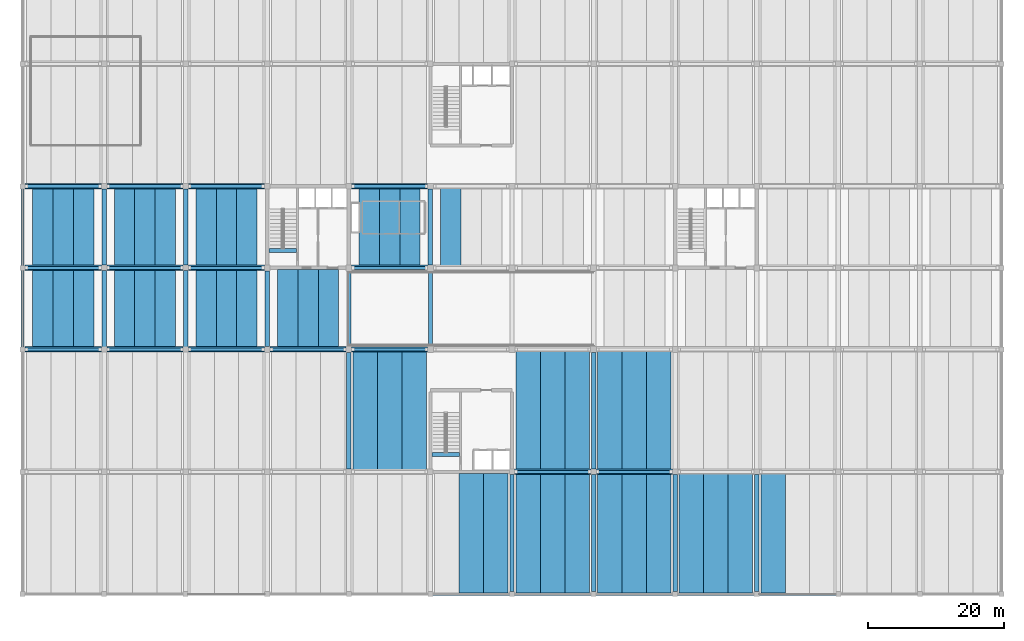
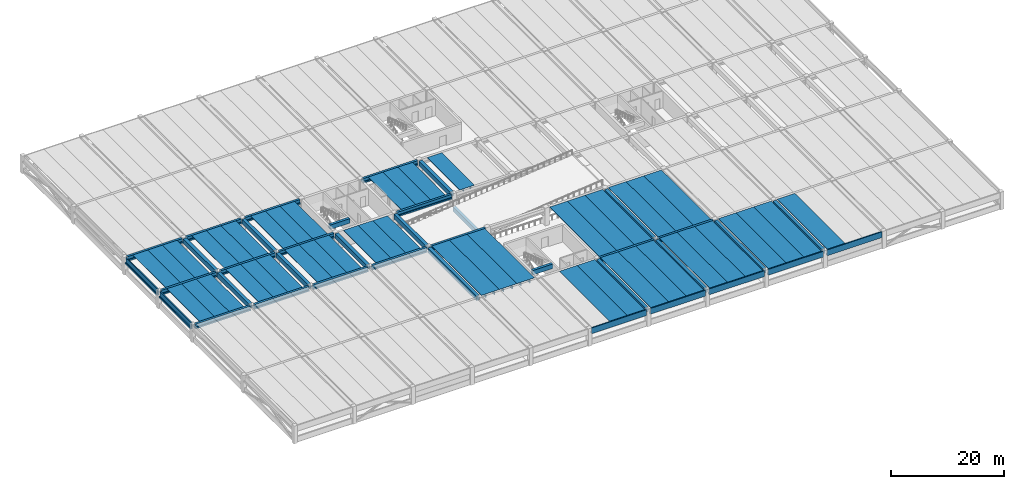
# One storey, part 2 of 14: 84 beams.
"""IFC4 building model written with IfcOpenShell, lengths in metres."""

from ifc_helpers import new_model, si_unit, direction, frame, origin, origin_2d, place, context, subcontext, project, spatial, polyline, rectangle, outline, extrude, material, material_profile, profile_set, type_object, element, save


model = new_model("IFC4")

# Units and contexts
model_context = context("Model", 3, precision=1e-05, world=origin(), true_north=direction((0.0, 1.0)))
body_context = subcontext(model_context, "Body", "Model", "MODEL_VIEW")
ifc_project = project(units=[si_unit("LENGTHUNIT", "METRE"), si_unit("AREAUNIT", "SQUARE_METRE"), si_unit("VOLUMEUNIT", "CUBIC_METRE"), si_unit("PLANEANGLEUNIT", "RADIAN"), si_unit("MASSUNIT", "GRAM", prefix="KILO")], contexts=[model_context])

# Site, building, storey
site_placement = place(None, origin())
site = spatial("IfcSite", under=ifc_project, at=site_placement, CompositionType="ELEMENT")
building_placement = place(site_placement, origin())
building = spatial("IfcBuilding", under=site, at=building_placement, Name="Girod Span Mobility Hub", CompositionType="ELEMENT")
storey_placement = place(building_placement, frame((0.0, 0.0, 24.800048828125)))
storey = spatial("IfcBuildingStorey", under=building, at=storey_placement, Name="L06", CompositionType="ELEMENT", Elevation=24.800048828125)

# Beams
ifc_material_1 = material(Name="Concrete C50/60", Category="concrete")
ifc_material_profile_1 = material_profile(ifc_material_1, outline(polyline([(-1.5, 0.300048828125), (-1.5, 0.2099609375), (-0.8349609375, 0.2099609375), (-0.8125, -0.300048828125), (-0.6875, -0.300048828125), (-0.6650390625, 0.2099609375), (0.6650390625, 0.2099609375), (0.6875, -0.300048828125), (0.8125, -0.300048828125), (0.8349609375, 0.2099609375), (1.5, 0.2099609375), (1.5, 0.300048828125), (-1.5, 0.300048828125)])), Name="DT-3000X600")
ifc_profile_set_1 = profile_set([ifc_material_profile_1], Name="Concrete C50/60")
beam_type_1 = type_object("IfcBeamType", Name="BM-DT-3000X600", PredefinedType="JOIST", material=ifc_profile_set_1)
for number, where, z_axis, x_axis, name in (
    (1, (15.0, 45.22705078125, 3.324951171875), (0.0, 1.0, 0.0), (-1.0, 0.0, 0.0), "Double-Tee Deck 2/D-1 L06"),
    (2, (18.0, 45.22705078125, 3.324951171875), (0.0, 1.0, 0.0), (-1.0, 0.0, 0.0), "Double-Tee Deck 2/D-2 L06"),
    (3, (21.0, 45.22705078125, 3.324951171875), (0.0, 1.0, 0.0), (-1.0, 0.0, 0.0), "Double-Tee Deck 2/D-3 L06"),
    (4, (15.0, 57.22705078125, 3.324951171875), (0.0, 1.0, 0.0), (-1.0, 0.0, 0.0), "Double-Tee Deck 2/E-1 L06"),
    (5, (18.0, 57.22705078125, 3.324951171875), (0.0, 1.0, 0.0), (-1.0, 0.0, 0.0), "Double-Tee Deck 2/E-2 L06"),
    (6, (21.0, 57.22705078125, 3.324951171875), (0.0, 1.0, 0.0), (-1.0, 0.0, 0.0), "Double-Tee Deck 2/E-3 L06"),
    (7, (27.0, 45.22705078125, 3.324951171875), (0.0, 1.0, 0.0), (-1.0, 0.0, 0.0), "Double-Tee Deck 3/D-1 L06"),
    (8, (30.0, 45.22705078125, 3.324951171875), (0.0, 1.0, 0.0), (-1.0, 0.0, 0.0), "Double-Tee Deck 3/D-2 L06"),
    (9, (33.0, 45.22705078125, 3.324951171875), (0.0, 1.0, 0.0), (-1.0, 0.0, 0.0), "Double-Tee Deck 3/D-3 L06"),
    (10, (27.0, 57.22705078125, 3.324951171875), (0.0, 1.0, 0.0), (-1.0, 0.0, 0.0), "Double-Tee Deck 3/E-1 L06"),
    (11, (30.0, 57.22705078125, 3.324951171875), (0.0, 1.0, 0.0), (-1.0, 0.0, 0.0), "Double-Tee Deck 3/E-2 L06"),
    (12, (33.0, 57.22705078125, 3.324951171875), (0.0, 1.0, 0.0), (-1.0, 0.0, 0.0), "Double-Tee Deck 3/E-3 L06"),
    (13, (39.0, 45.22705078125, 3.324951171875), (0.0, 1.0, 0.0), (-1.0, 0.0, 0.0), "Double-Tee Deck 4/D-1 L06"),
    (14, (42.0, 45.22705078125, 3.324951171875), (0.0, 1.0, 0.0), (-1.0, 0.0, 0.0), "Double-Tee Deck 4/D-2 L06"),
    (15, (45.0, 45.22705078125, 3.324951171875), (0.0, 1.0, 0.0), (-1.0, 0.0, 0.0), "Double-Tee Deck 4/D-3 L06"),
    (16, (39.0, 57.22705078125, 3.324951171875), (0.0, 1.0, 0.0), (-1.0, 0.0, 0.0), "Double-Tee Deck 4/E-1 L06"),
    (17, (42.0, 57.22705078125, 3.324951171875), (0.0, 1.0, 0.0), (-1.0, 0.0, 0.0), "Double-Tee Deck 4/E-2 L06"),
    (18, (45.0, 57.22705078125, 3.324951171875), (0.0, 1.0, 0.0), (-1.0, 0.0, 0.0), "Double-Tee Deck 4/E-3 L06"),
):
    element("IfcBeam", number, at=place(storey_placement, frame(where, z_axis=z_axis, x_axis=x_axis)), inside=storey, type_object=beam_type_1, Name=name, PredefinedType="JOIST", context=body_context, shape_type="SweptSolid", body=[
        extrude(outline(polyline([(-1.5, 0.300048828125), (-1.5, 0.2099609375), (-0.8349609375, 0.2099609375), (-0.8125, -0.300048828125), (-0.6875, -0.300048828125), (-0.6650390625, 0.2099609375), (0.6650390625, 0.2099609375), (0.6875, -0.300048828125), (0.8125, -0.300048828125), (0.8349609375, 0.2099609375), (1.5, 0.2099609375), (1.5, 0.300048828125), (-1.5, 0.300048828125)])), origin(), (0.0, 0.0, 1.0), 11.5458984375),
    ])
for number, where, z_axis, x_axis, name in (
    (19, (51.0, 45.22705078125, 3.324951171875), (0.0, 1.0, 0.0), (-1.0, 0.0, 0.0), "Double-Tee Deck 5/D-1 L06"),
    (20, (54.0, 45.22705078125, 3.324951171875), (0.0, 1.0, 0.0), (-1.0, 0.0, 0.0), "Double-Tee Deck 5/D-2 L06"),
    (21, (57.0, 45.22705078125, 3.324951171875), (0.0, 1.0, 0.0), (-1.0, 0.0, 0.0), "Double-Tee Deck 5/D-3 L06"),
):
    element("IfcBeam", number, at=place(storey_placement, frame(where, z_axis=z_axis, x_axis=x_axis)), inside=storey, type_object=beam_type_1, Name=name, PredefinedType="JOIST", context=body_context, shape_type="SweptSolid", body=[
        extrude(outline(polyline([(-1.5, 0.300048828125), (-1.5, 0.2099609375), (-0.8349609375, 0.2099609375), (-0.8125, -0.300048828125), (-0.6875, -0.300048828125), (-0.6650390625, 0.2099609375), (0.6650390625, 0.2099609375), (0.6875, -0.300048828125), (0.8125, -0.300048828125), (0.8349609375, 0.2099609375), (1.5, 0.2099609375), (1.5, 0.300048828125), (-1.5, 0.300048828125)])), origin(), (0.0, 0.0, 1.0), 11.52587890625),
    ])
for number, where, z_axis, x_axis, name in (
    (22, (63.0, 57.22705078125, 3.324951171875), (0.0, 1.0, 0.0), (-1.0, 0.0, 0.0), "Double-Tee Deck 6/E-1 L06"),
    (23, (66.0, 57.22705078125, 3.324951171875), (0.0, 1.0, 0.0), (-1.0, 0.0, 0.0), "Double-Tee Deck 6/E-2 L06"),
    (24, (69.0, 57.22705078125, 3.324951171875), (0.0, 1.0, 0.0), (-1.0, 0.0, 0.0), "Double-Tee Deck 6/E-3 L06"),
    (25, (75.0, 57.22705078125, 3.324951171875), (0.0, 1.0, 0.0), (-1.0, 0.0, 0.0), "Double-Tee Deck 7/E-1 L06"),
):
    element("IfcBeam", number, at=place(storey_placement, frame(where, z_axis=z_axis, x_axis=x_axis)), inside=storey, type_object=beam_type_1, Name=name, PredefinedType="JOIST", context=body_context, shape_type="SweptSolid", body=[
        extrude(outline(polyline([(-1.5, 0.300048828125), (-1.5, 0.2099609375), (-0.8349609375, 0.2099609375), (-0.8125, -0.300048828125), (-0.6875, -0.300048828125), (-0.6650390625, 0.2099609375), (0.6650390625, 0.2099609375), (0.6875, -0.300048828125), (0.8125, -0.300048828125), (0.8349609375, 0.2099609375), (1.5, 0.2099609375), (1.5, 0.300048828125), (-1.5, 0.300048828125)])), origin(), (0.0, 0.0, 1.0), 11.5458984375),
    ])
ifc_material_2 = material(Name="Concrete C50/60", Category="concrete")
ifc_material_profile_2 = material_profile(ifc_material_2, outline(polyline([(-1.800048828125, 0.425048828125), (-1.800048828125, 0.324951171875), (-1.0, 0.324951171875), (-0.969970703125, -0.425048828125), (-0.830078125, -0.425048828125), (-0.800048828125, 0.324951171875), (0.800048828125, 0.324951171875), (0.830078125, -0.425048828125), (0.969970703125, -0.425048828125), (1.0, 0.324951171875), (1.800048828125, 0.324951171875), (1.800048828125, 0.425048828125), (-1.800048828125, 0.425048828125)])), Name="DT-3600X850")
ifc_profile_set_2 = profile_set([ifc_material_profile_2], Name="Concrete C50/60")
beam_type_2 = type_object("IfcBeamType", Name="BM-DT-3600X850", PredefinedType="JOIST", material=ifc_profile_set_2)
for number, where, z_axis, x_axis, name in (
    (26, (62.39990234375, 27.22705078125, 3.199951171875), (0.0, 1.0, 0.0), (-1.0, 0.0, 0.0), "Double-Tee Deck 6/C-1 L06"),
    (27, (66.0, 27.22705078125, 3.199951171875), (0.0, 1.0, 0.0), (-1.0, 0.0, 0.0), "Double-Tee Deck 6/C-2 L06"),
    (28, (69.60009765625, 27.22705078125, 3.199951171875), (0.0, 1.0, 0.0), (-1.0, 0.0, 0.0), "Double-Tee Deck 6/C-3 L06"),
):
    element("IfcBeam", number, at=place(storey_placement, frame(where, z_axis=z_axis, x_axis=x_axis)), inside=storey, type_object=beam_type_2, Name=name, PredefinedType="JOIST", context=body_context, shape_type="SweptSolid", body=[
        extrude(outline(polyline([(-1.800048828125, 0.425048828125), (-1.800048828125, 0.324951171875), (-1.0, 0.324951171875), (-0.969970703125, -0.425048828125), (-0.830078125, -0.425048828125), (-0.800048828125, 0.324951171875), (0.800048828125, 0.324951171875), (0.830078125, -0.425048828125), (0.969970703125, -0.425048828125), (1.0, 0.324951171875), (1.800048828125, 0.324951171875), (1.800048828125, 0.425048828125), (-1.800048828125, 0.425048828125)])), origin(), (0.0, 0.0, 1.0), 17.5458984375),
    ])
for number, where, z_axis, x_axis, name in (
    (29, (78.0, 9.01708984375, 3.199951171875), (0.0, 1.0, 0.0), (-1.0, 0.0, 0.0), "Double-Tee Deck 7/B-2 L06"),
    (30, (81.60009765625, 9.01708984375, 3.199951171875), (0.0, 1.0, 0.0), (-1.0, 0.0, 0.0), "Double-Tee Deck 7/B-3 L06"),
):
    element("IfcBeam", number, at=place(storey_placement, frame(where, z_axis=z_axis, x_axis=x_axis)), inside=storey, type_object=beam_type_2, Name=name, PredefinedType="JOIST", context=body_context, shape_type="SweptSolid", body=[
        extrude(outline(polyline([(-1.800048828125, 0.425048828125), (-1.800048828125, 0.324951171875), (-1.0, 0.324951171875), (-0.969970703125, -0.425048828125), (-0.830078125, -0.425048828125), (-0.800048828125, 0.324951171875), (0.800048828125, 0.324951171875), (0.830078125, -0.425048828125), (0.969970703125, -0.425048828125), (1.0, 0.324951171875), (1.800048828125, 0.324951171875), (1.800048828125, 0.425048828125), (-1.800048828125, 0.425048828125)])), origin(), (0.0, 0.0, 1.0), 17.760986328125),
    ])
for number, where, z_axis, x_axis, name in (
    (31, (86.39990234375, 9.01708984375, 3.199951171875), (0.0, 1.0, 0.0), (-1.0, 0.0, 0.0), "Double-Tee Deck 8/B-1 L06"),
    (32, (90.0, 9.01708984375, 3.199951171875), (0.0, 1.0, 0.0), (-1.0, 0.0, 0.0), "Double-Tee Deck 8/B-2 L06"),
    (33, (93.60009765625, 9.01708984375, 3.199951171875), (0.0, 1.0, 0.0), (-1.0, 0.0, 0.0), "Double-Tee Deck 8/B-3 L06"),
):
    element("IfcBeam", number, at=place(storey_placement, frame(where, z_axis=z_axis, x_axis=x_axis)), inside=storey, type_object=beam_type_2, Name=name, PredefinedType="JOIST", context=body_context, shape_type="SweptSolid", body=[
        extrude(outline(polyline([(-1.800048828125, 0.425048828125), (-1.800048828125, 0.324951171875), (-1.0, 0.324951171875), (-0.969970703125, -0.425048828125), (-0.830078125, -0.425048828125), (-0.800048828125, 0.324951171875), (0.800048828125, 0.324951171875), (0.830078125, -0.425048828125), (0.969970703125, -0.425048828125), (1.0, 0.324951171875), (1.800048828125, 0.324951171875), (1.800048828125, 0.425048828125), (-1.800048828125, 0.425048828125)])), origin(), (0.0, 0.0, 1.0), 17.755859375),
    ])
for number, where, z_axis, x_axis, name in (
    (34, (86.39990234375, 27.22705078125, 3.199951171875), (0.0, 1.0, 0.0), (-1.0, 0.0, 0.0), "Double-Tee Deck 8/C-1 L06"),
    (35, (90.0, 27.22705078125, 3.199951171875), (0.0, 1.0, 0.0), (-1.0, 0.0, 0.0), "Double-Tee Deck 8/C-2 L06"),
    (36, (93.60009765625, 27.22705078125, 3.199951171875), (0.0, 1.0, 0.0), (-1.0, 0.0, 0.0), "Double-Tee Deck 8/C-3 L06"),
):
    element("IfcBeam", number, at=place(storey_placement, frame(where, z_axis=z_axis, x_axis=x_axis)), inside=storey, type_object=beam_type_2, Name=name, PredefinedType="JOIST", context=body_context, shape_type="SweptSolid", body=[
        extrude(outline(polyline([(-1.800048828125, 0.425048828125), (-1.800048828125, 0.324951171875), (-1.0, 0.324951171875), (-0.969970703125, -0.425048828125), (-0.830078125, -0.425048828125), (-0.800048828125, 0.324951171875), (0.800048828125, 0.324951171875), (0.830078125, -0.425048828125), (0.969970703125, -0.425048828125), (1.0, 0.324951171875), (1.800048828125, 0.324951171875), (1.800048828125, 0.425048828125), (-1.800048828125, 0.425048828125)])), origin(), (0.0, 0.0, 1.0), 17.5458984375),
    ])
for number, where, z_axis, x_axis, name in (
    (37, (98.39990234375, 9.01708984375, 3.199951171875), (0.0, 1.0, 0.0), (-1.0, 0.0, 0.0), "Double-Tee Deck 9/B-1 L06"),
    (38, (102.0, 9.01708984375, 3.199951171875), (0.0, 1.0, 0.0), (-1.0, 0.0, 0.0), "Double-Tee Deck 9/B-2 L06"),
    (39, (105.60009765625, 9.01708984375, 3.199951171875), (0.0, 1.0, 0.0), (-1.0, 0.0, 0.0), "Double-Tee Deck 9/B-3 L06"),
):
    element("IfcBeam", number, at=place(storey_placement, frame(where, z_axis=z_axis, x_axis=x_axis)), inside=storey, type_object=beam_type_2, Name=name, PredefinedType="JOIST", context=body_context, shape_type="SweptSolid", body=[
        extrude(outline(polyline([(-1.800048828125, 0.425048828125), (-1.800048828125, 0.324951171875), (-1.0, 0.324951171875), (-0.969970703125, -0.425048828125), (-0.830078125, -0.425048828125), (-0.800048828125, 0.324951171875), (0.800048828125, 0.324951171875), (0.830078125, -0.425048828125), (0.969970703125, -0.425048828125), (1.0, 0.324951171875), (1.800048828125, 0.324951171875), (1.800048828125, 0.425048828125), (-1.800048828125, 0.425048828125)])), origin(), (0.0, 0.0, 1.0), 17.755859375),
    ])
for number, where, z_axis, x_axis, name in (
    (40, (98.39990234375, 27.22705078125, 3.199951171875), (0.0, 1.0, 0.0), (-1.0, 0.0, 0.0), "Double-Tee Deck 9/C-1 L06"),
    (41, (102.0, 27.22705078125, 3.199951171875), (0.0, 1.0, 0.0), (-1.0, 0.0, 0.0), "Double-Tee Deck 9/C-2 L06"),
    (42, (105.60009765625, 27.22705078125, 3.199951171875), (0.0, 1.0, 0.0), (-1.0, 0.0, 0.0), "Double-Tee Deck 9/C-3 L06"),
):
    element("IfcBeam", number, at=place(storey_placement, frame(where, z_axis=z_axis, x_axis=x_axis)), inside=storey, type_object=beam_type_2, Name=name, PredefinedType="JOIST", context=body_context, shape_type="SweptSolid", body=[
        extrude(outline(polyline([(-1.800048828125, 0.425048828125), (-1.800048828125, 0.324951171875), (-1.0, 0.324951171875), (-0.969970703125, -0.425048828125), (-0.830078125, -0.425048828125), (-0.800048828125, 0.324951171875), (0.800048828125, 0.324951171875), (0.830078125, -0.425048828125), (0.969970703125, -0.425048828125), (1.0, 0.324951171875), (1.800048828125, 0.324951171875), (1.800048828125, 0.425048828125), (-1.800048828125, 0.425048828125)])), origin(), (0.0, 0.0, 1.0), 17.5458984375),
    ])
for number, where, z_axis, x_axis, name in (
    (43, (110.39990234375, 9.01708984375, 3.199951171875), (0.0, 1.0, 0.0), (-1.0, 0.0, 0.0), "Double-Tee Deck 10/B-1 L06"),
    (44, (114.0, 9.01708984375, 3.199951171875), (0.0, 1.0, 0.0), (-1.0, 0.0, 0.0), "Double-Tee Deck 10/B-2 L06"),
    (45, (117.60009765625, 9.01708984375, 3.199951171875), (0.0, 1.0, 0.0), (-1.0, 0.0, 0.0), "Double-Tee Deck 10/B-3 L06"),
    (46, (122.39990234375, 9.01708984375, 3.199951171875), (0.0, 1.0, 0.0), (-1.0, 0.0, 0.0), "Double-Tee Deck 11/B-1 L06"),
):
    element("IfcBeam", number, at=place(storey_placement, frame(where, z_axis=z_axis, x_axis=x_axis)), inside=storey, type_object=beam_type_2, Name=name, PredefinedType="JOIST", context=body_context, shape_type="SweptSolid", body=[
        extrude(outline(polyline([(-1.800048828125, 0.425048828125), (-1.800048828125, 0.324951171875), (-1.0, 0.324951171875), (-0.969970703125, -0.425048828125), (-0.830078125, -0.425048828125), (-0.800048828125, 0.324951171875), (0.800048828125, 0.324951171875), (0.830078125, -0.425048828125), (0.969970703125, -0.425048828125), (1.0, 0.324951171875), (1.800048828125, 0.324951171875), (1.800048828125, 0.425048828125), (-1.800048828125, 0.425048828125)])), origin(), (0.0, 0.0, 1.0), 17.755859375),
    ])
ifc_material_3 = material(Name="Concrete C50/60", Category="concrete")
ifc_material_profile_3 = material_profile(ifc_material_3, outline(polyline([(-0.39990234375, -0.449951171875), (0.39990234375, -0.449951171875), (0.39990234375, -0.14990234375), (0.22998046875, -0.14990234375), (0.22998046875, 0.449951171875), (-0.22998046875, 0.449951171875), (-0.22998046875, -0.14990234375), (-0.39990234375, -0.14990234375), (-0.39990234375, -0.449951171875)])), Name="IT-800X900")
ifc_profile_set_3 = profile_set([ifc_material_profile_3], Name="Concrete C50/60")
beam_type_3 = type_object("IfcBeamType", Name="BM-IT-800X900", PredefinedType="T_BEAM", material=ifc_profile_set_3)
for number, where, z_axis, x_axis, name in (
    (47, (84.39697265625, 27.0, 3.175048828125), (1.0, 0.0, 0.0), (0.0, 1.0, 0.0), "Girder 8-9/C L06"),
    (48, (96.39697265625, 27.0, 3.175048828125), (1.0, 0.0, 0.0), (0.0, 1.0, 0.0), "Girder 9-10/C L06"),
):
    element("IfcBeam", number, at=place(storey_placement, frame(where, z_axis=z_axis, x_axis=x_axis)), inside=storey, type_object=beam_type_3, Name=name, PredefinedType="T_BEAM", context=body_context, shape_type="SweptSolid", body=[
        extrude(outline(polyline([(-0.39990234375, -0.449951171875), (0.39990234375, -0.449951171875), (0.39990234375, -0.14990234375), (0.22998046875, -0.14990234375), (0.22998046875, 0.449951171875), (-0.22998046875, 0.449951171875), (-0.22998046875, -0.14990234375), (-0.39990234375, -0.14990234375), (-0.39990234375, -0.449951171875)])), origin(), (0.0, 0.0, 1.0), 11.2060546875),
    ])
beam_1_placement = place(storey_placement, frame((12.3720703125, 45.0, 3.175048828125), z_axis=(1.0, 0.0, 0.0), x_axis=(0.0, 1.0, 0.0)))
element("IfcBeam", 49, at=beam_1_placement, inside=storey, type_object=beam_type_3, Name="Girder 2-3/D L06", PredefinedType="T_BEAM", context=body_context, shape_type="SweptSolid", body=[
    extrude(outline(polyline([(-0.39990234375, -0.449951171875), (0.39990234375, -0.449951171875), (0.39990234375, -0.14990234375), (0.22998046875, -0.14990234375), (0.22998046875, 0.449951171875), (-0.22998046875, 0.449951171875), (-0.22998046875, -0.14990234375), (-0.39990234375, -0.14990234375), (-0.39990234375, -0.449951171875)])), origin(), (0.0, 0.0, 1.0), 11.23095703125),
])
beam_2_placement = place(storey_placement, frame((24.39697265625, 45.0, 3.175048828125), z_axis=(1.0, 0.0, 0.0), x_axis=(0.0, 1.0, 0.0)))
element("IfcBeam", 50, at=beam_2_placement, inside=storey, type_object=beam_type_3, Name="Girder 3-4/D L06", PredefinedType="T_BEAM", context=body_context, shape_type="SweptSolid", body=[
    extrude(outline(polyline([(-0.39990234375, -0.449951171875), (0.39990234375, -0.449951171875), (0.39990234375, -0.14990234375), (0.22998046875, -0.14990234375), (0.22998046875, 0.449951171875), (-0.22998046875, 0.449951171875), (-0.22998046875, -0.14990234375), (-0.39990234375, -0.14990234375), (-0.39990234375, -0.449951171875)])), origin(), (0.0, 0.0, 1.0), 11.2060546875),
])
beam_3_placement = place(storey_placement, frame((36.39697265625, 45.0, 3.175048828125), z_axis=(1.0, 0.0, 0.0), x_axis=(0.0, 1.0, 0.0)))
element("IfcBeam", 51, at=beam_3_placement, inside=storey, type_object=beam_type_3, Name="Girder 4-5/D L06", PredefinedType="T_BEAM", context=body_context, shape_type="SweptSolid", body=[
    extrude(outline(polyline([(-0.39990234375, -0.449951171875), (0.39990234375, -0.449951171875), (0.39990234375, -0.14990234375), (0.22998046875, -0.14990234375), (0.22998046875, 0.449951171875), (-0.22998046875, 0.449951171875), (-0.22998046875, -0.14990234375), (-0.39990234375, -0.14990234375), (-0.39990234375, -0.449951171875)])), origin(), (0.0, 0.0, 1.0), 11.180908203125),
])
for number, where, z_axis, x_axis, name in (
    (52, (48.422119140625, 45.0, 3.175048828125), (1.0, 0.0, 0.0), (0.0, 1.0, 0.0), "Girder 5-6/D L06"),
    (53, (60.422119140625, 45.0, 3.175048828125), (1.0, 0.0, 0.0), (0.0, 1.0, 0.0), "Girder 6-7/D L06"),
):
    element("IfcBeam", number, at=place(storey_placement, frame(where, z_axis=z_axis, x_axis=x_axis)), inside=storey, type_object=beam_type_3, Name=name, PredefinedType="T_BEAM", context=body_context, shape_type="SweptSolid", body=[
        extrude(outline(polyline([(-0.39990234375, -0.449951171875), (0.39990234375, -0.449951171875), (0.39990234375, -0.14990234375), (0.22998046875, -0.14990234375), (0.22998046875, 0.449951171875), (-0.22998046875, 0.449951171875), (-0.22998046875, -0.14990234375), (-0.39990234375, -0.14990234375), (-0.39990234375, -0.449951171875)])), origin(), (0.0, 0.0, 1.0), 11.15576171875),
    ])
beam_4_placement = place(storey_placement, frame((12.3720703125, 57.0, 3.175048828125), z_axis=(1.0, 0.0, 0.0), x_axis=(0.0, 1.0, 0.0)))
element("IfcBeam", 54, at=beam_4_placement, inside=storey, type_object=beam_type_3, Name="Girder 2-3/E L06", PredefinedType="T_BEAM", context=body_context, shape_type="SweptSolid", body=[
    extrude(outline(polyline([(-0.39990234375, -0.449951171875), (0.39990234375, -0.449951171875), (0.39990234375, -0.14990234375), (0.22998046875, -0.14990234375), (0.22998046875, 0.449951171875), (-0.22998046875, 0.449951171875), (-0.22998046875, -0.14990234375), (-0.39990234375, -0.14990234375), (-0.39990234375, -0.449951171875)])), origin(), (0.0, 0.0, 1.0), 11.23095703125),
])
beam_5_placement = place(storey_placement, frame((24.39697265625, 57.0, 3.175048828125), z_axis=(1.0, 0.0, 0.0), x_axis=(0.0, 1.0, 0.0)))
element("IfcBeam", 55, at=beam_5_placement, inside=storey, type_object=beam_type_3, Name="Girder 3-4/E L06", PredefinedType="T_BEAM", context=body_context, shape_type="SweptSolid", body=[
    extrude(outline(polyline([(-0.39990234375, -0.449951171875), (0.39990234375, -0.449951171875), (0.39990234375, -0.14990234375), (0.22998046875, -0.14990234375), (0.22998046875, 0.449951171875), (-0.22998046875, 0.449951171875), (-0.22998046875, -0.14990234375), (-0.39990234375, -0.14990234375), (-0.39990234375, -0.449951171875)])), origin(), (0.0, 0.0, 1.0), 11.2060546875),
])
beam_6_placement = place(storey_placement, frame((36.39697265625, 57.0, 3.175048828125), z_axis=(1.0, 0.0, 0.0), x_axis=(0.0, 1.0, 0.0)))
element("IfcBeam", 56, at=beam_6_placement, inside=storey, type_object=beam_type_3, Name="Girder 4-5/E L06", PredefinedType="T_BEAM", context=body_context, shape_type="SweptSolid", body=[
    extrude(outline(polyline([(-0.39990234375, -0.449951171875), (0.39990234375, -0.449951171875), (0.39990234375, -0.14990234375), (0.22998046875, -0.14990234375), (0.22998046875, 0.449951171875), (-0.22998046875, 0.449951171875), (-0.22998046875, -0.14990234375), (-0.39990234375, -0.14990234375), (-0.39990234375, -0.449951171875)])), origin(), (0.0, 0.0, 1.0), 11.180908203125),
])
beam_7_placement = place(storey_placement, frame((60.422119140625, 57.0, 3.175048828125), z_axis=(1.0, 0.0, 0.0), x_axis=(0.0, 1.0, 0.0)))
element("IfcBeam", 57, at=beam_7_placement, inside=storey, type_object=beam_type_3, Name="Girder 6-7/E L06", PredefinedType="T_BEAM", context=body_context, shape_type="SweptSolid", body=[
    extrude(outline(polyline([(-0.39990234375, -0.449951171875), (0.39990234375, -0.449951171875), (0.39990234375, -0.14990234375), (0.22998046875, -0.14990234375), (0.22998046875, 0.449951171875), (-0.22998046875, 0.449951171875), (-0.22998046875, -0.14990234375), (-0.39990234375, -0.14990234375), (-0.39990234375, -0.449951171875)])), origin(), (0.0, 0.0, 1.0), 11.15576171875),
])
beam_8_placement = place(storey_placement, frame((12.3720703125, 69.0, 3.175048828125), z_axis=(1.0, 0.0, 0.0), x_axis=(0.0, 1.0, 0.0)))
element("IfcBeam", 58, at=beam_8_placement, inside=storey, type_object=beam_type_3, Name="Girder 2-3/F L06", PredefinedType="T_BEAM", context=body_context, shape_type="SweptSolid", body=[
    extrude(outline(polyline([(-0.39990234375, -0.449951171875), (0.39990234375, -0.449951171875), (0.39990234375, -0.14990234375), (0.22998046875, -0.14990234375), (0.22998046875, 0.449951171875), (-0.22998046875, 0.449951171875), (-0.22998046875, -0.14990234375), (-0.39990234375, -0.14990234375), (-0.39990234375, -0.449951171875)])), origin(), (0.0, 0.0, 1.0), 11.23095703125),
])
beam_9_placement = place(storey_placement, frame((24.39697265625, 69.0, 3.175048828125), z_axis=(1.0, 0.0, 0.0), x_axis=(0.0, 1.0, 0.0)))
element("IfcBeam", 59, at=beam_9_placement, inside=storey, type_object=beam_type_3, Name="Girder 3-4/F L06", PredefinedType="T_BEAM", context=body_context, shape_type="SweptSolid", body=[
    extrude(outline(polyline([(-0.39990234375, -0.449951171875), (0.39990234375, -0.449951171875), (0.39990234375, -0.14990234375), (0.22998046875, -0.14990234375), (0.22998046875, 0.449951171875), (-0.22998046875, 0.449951171875), (-0.22998046875, -0.14990234375), (-0.39990234375, -0.14990234375), (-0.39990234375, -0.449951171875)])), origin(), (0.0, 0.0, 1.0), 11.2060546875),
])
beam_10_placement = place(storey_placement, frame((36.39697265625, 69.0, 3.175048828125), z_axis=(1.0, 0.0, 0.0), x_axis=(0.0, 1.0, 0.0)))
element("IfcBeam", 60, at=beam_10_placement, inside=storey, type_object=beam_type_3, Name="Girder 4-5/F L06", PredefinedType="T_BEAM", context=body_context, shape_type="SweptSolid", body=[
    extrude(outline(polyline([(-0.39990234375, -0.449951171875), (0.39990234375, -0.449951171875), (0.39990234375, -0.14990234375), (0.22998046875, -0.14990234375), (0.22998046875, 0.449951171875), (-0.22998046875, 0.449951171875), (-0.22998046875, -0.14990234375), (-0.39990234375, -0.14990234375), (-0.39990234375, -0.449951171875)])), origin(), (0.0, 0.0, 1.0), 11.180908203125),
])
beam_11_placement = place(storey_placement, frame((60.422119140625, 69.0, 3.175048828125), z_axis=(1.0, 0.0, 0.0), x_axis=(0.0, 1.0, 0.0)))
element("IfcBeam", 61, at=beam_11_placement, inside=storey, type_object=beam_type_3, Name="Girder 6-7/F L06", PredefinedType="T_BEAM", context=body_context, shape_type="SweptSolid", body=[
    extrude(outline(polyline([(-0.39990234375, -0.449951171875), (0.39990234375, -0.449951171875), (0.39990234375, -0.14990234375), (0.22998046875, -0.14990234375), (0.22998046875, 0.449951171875), (-0.22998046875, 0.449951171875), (-0.22998046875, -0.14990234375), (-0.39990234375, -0.14990234375), (-0.39990234375, -0.449951171875)])), origin(), (0.0, 0.0, 1.0), 11.15576171875),
])
ifc_material_4 = material(Name="Concrete C40/50", Category="concrete")
ifc_material_profile_4 = material_profile(ifc_material_4, rectangle(XDim=0.550048828125, YDim=0.949951171875, at=origin_2d()), Name="RK-550X950")
ifc_profile_set_4 = profile_set([ifc_material_profile_4], Name="Concrete C40/50")
beam_type_4 = type_object("IfcBeamType", Name="BM-RK-550X950", PredefinedType="BEAM", material=ifc_profile_set_4)
beam_12_placement = place(storey_placement, frame((48.2470703125, 59.550048828125, 3.14990234375), z_axis=(1.0, 0.0, 0.0), x_axis=(0.0, 1.0, 0.0)))
element("IfcBeam", 62, at=beam_12_placement, inside=storey, type_object=beam_type_4, Name="Stair ST-1 Landing Header Beam L06", PredefinedType="BEAM", context=body_context, shape_type="SweptSolid", body=[
    extrude(rectangle(XDim=0.550048828125, YDim=0.949951171875, at=origin_2d()), origin(), (0.0, 0.0, 1.0), 4.055908203125),
])
beam_13_placement = place(storey_placement, frame((72.221923828125, 29.550048828125, 3.14990234375), z_axis=(1.0, 0.0, 0.0), x_axis=(0.0, 1.0, 0.0)))
element("IfcBeam", 63, at=beam_13_placement, inside=storey, type_object=beam_type_4, Name="Stair ST-3 Landing Header Beam L06", PredefinedType="BEAM", context=body_context, shape_type="SweptSolid", body=[
    extrude(rectangle(XDim=0.550048828125, YDim=0.949951171875, at=origin_2d()), origin(), (0.0, 0.0, 1.0), 4.0810546875),
])
beam_14_placement = place(storey_placement, frame((72.0, 45.422119140625, 0.51171875), z_axis=(0.0, 1.0, 0.0), x_axis=(-1.0, 0.0, 0.0)))
element("IfcBeam", 64, at=beam_14_placement, inside=storey, type_object=beam_type_4, Name="Vehicular Ramp Support Beam X=72 L06", PredefinedType="BEAM", context=body_context, shape_type="SweptSolid", body=[
    extrude(rectangle(XDim=0.550048828125, YDim=0.949951171875, at=origin_2d()), origin(), (0.0, 0.0, 1.0), 11.15576171875),
])
ifc_material_5 = material(Name="Concrete C40/50", Category="concrete")
ifc_material_profile_5 = material_profile(ifc_material_5, outline(polyline([(-0.199951171875, -0.625), (0.199951171875, -0.625), (0.199951171875, -0.304931640625), (0.02001953125, -0.304931640625), (0.02001953125, 0.625), (-0.199951171875, 0.625), (-0.199951171875, -0.625)])), Name="SP-400X1250")
ifc_profile_set_5 = profile_set([ifc_material_profile_5], Name="Concrete C40/50")
beam_type_5 = type_object("IfcBeamType", Name="BM-SP-400X1250", PredefinedType="SPANDREL", material=ifc_profile_set_5)
for number, where, z_axis, x_axis, name in (
    (65, (72.3720703125, 9.0, 3.0), (1.0, 0.0, 0.0), (0.0, 1.0, 0.0), "Girder 7-8/B L06"),
    (66, (84.3720703125, 9.0, 3.0), (1.0, 0.0, 0.0), (0.0, 1.0, 0.0), "Girder 8-9/B L06"),
    (67, (96.3720703125, 9.0, 3.0), (1.0, 0.0, 0.0), (0.0, 1.0, 0.0), "Girder 9-10/B L06"),
    (68, (108.3720703125, 9.0, 3.0), (1.0, 0.0, 0.0), (0.0, 1.0, 0.0), "Girder 10-11/B L06"),
    (69, (120.3720703125, 9.0, 3.0), (1.0, 0.0, 0.0), (0.0, 1.0, 0.0), "Girder 11-12/B L06"),
    (70, (12.0, 45.3720703125, 3.0), (0.0, 1.0, 0.0), (-1.0, 0.0, 0.0), "Tie Girder 2/D-E L06"),
    (71, (12.0, 57.3720703125, 3.0), (0.0, 1.0, 0.0), (-1.0, 0.0, 0.0), "Tie Girder 2/E-F L06"),
):
    element("IfcBeam", number, at=place(storey_placement, frame(where, z_axis=z_axis, x_axis=x_axis)), inside=storey, type_object=beam_type_5, Name=name, PredefinedType="SPANDREL", context=body_context, shape_type="SweptSolid", body=[
        extrude(outline(polyline([(-0.199951171875, -0.625), (0.199951171875, -0.625), (0.199951171875, -0.304931640625), (0.02001953125, -0.304931640625), (0.02001953125, 0.625), (-0.199951171875, 0.625), (-0.199951171875, -0.625)])), origin(), (0.0, 0.0, 1.0), 11.255859375),
    ])
ifc_material_6 = material(Name="Concrete C40/50", Category="concrete")
ifc_material_profile_6 = material_profile(ifc_material_6, rectangle(XDim=0.64990234375, YDim=1.0, at=origin_2d()), Name="TG-650X1000")
ifc_profile_set_6 = profile_set([ifc_material_profile_6], Name="Concrete C40/50")
beam_type_6 = type_object("IfcBeamType", Name="BM-TG-650X1000", PredefinedType="T_BEAM", material=ifc_profile_set_6)
for number, where, z_axis, x_axis, name in (
    (72, (24.0, 45.39697265625, 3.125), (0.0, 1.0, 0.0), (-1.0, 0.0, 0.0), "Tie Girder 3/D-E L06"),
    (73, (24.0, 57.39697265625, 3.125), (0.0, 1.0, 0.0), (-1.0, 0.0, 0.0), "Tie Girder 3/E-F L06"),
    (74, (36.0, 45.39697265625, 3.125), (0.0, 1.0, 0.0), (-1.0, 0.0, 0.0), "Tie Girder 4/D-E L06"),
    (75, (36.0, 57.39697265625, 3.125), (0.0, 1.0, 0.0), (-1.0, 0.0, 0.0), "Tie Girder 4/E-F L06"),
):
    element("IfcBeam", number, at=place(storey_placement, frame(where, z_axis=z_axis, x_axis=x_axis)), inside=storey, type_object=beam_type_6, Name=name, PredefinedType="T_BEAM", context=body_context, shape_type="SweptSolid", body=[
        extrude(rectangle(XDim=0.64990234375, YDim=1.0, at=origin_2d()), origin(), (0.0, 0.0, 1.0), 11.2060546875),
    ])
beam_15_placement = place(storey_placement, frame((48.0, 45.422119140625, 3.125), z_axis=(0.0, 1.0, 0.0), x_axis=(-1.0, 0.0, 0.0)))
element("IfcBeam", 76, at=beam_15_placement, inside=storey, type_object=beam_type_6, Name="Tie Girder 5/D-E L06", PredefinedType="T_BEAM", context=body_context, shape_type="SweptSolid", body=[
    extrude(rectangle(XDim=0.64990234375, YDim=1.0, at=origin_2d()), origin(), (0.0, 0.0, 1.0), 11.15576171875),
])
beam_16_placement = place(storey_placement, frame((60.0, 27.39697265625, 3.125), z_axis=(0.0, 1.0, 0.0), x_axis=(-1.0, 0.0, 0.0)))
element("IfcBeam", 77, at=beam_16_placement, inside=storey, type_object=beam_type_6, Name="Tie Girder 6/C-D L06", PredefinedType="T_BEAM", context=body_context, shape_type="SweptSolid", body=[
    extrude(rectangle(XDim=0.64990234375, YDim=1.0, at=origin_2d()), origin(), (0.0, 0.0, 1.0), 17.180908203125),
])
for number, where, z_axis, x_axis, name in (
    (78, (60.0, 45.422119140625, 3.125), (0.0, 1.0, 0.0), (-1.0, 0.0, 0.0), "Tie Girder 6/D-E L06"),
    (79, (72.0, 57.422119140625, 3.125), (0.0, 1.0, 0.0), (-1.0, 0.0, 0.0), "Tie Girder 7/E-F L06"),
):
    element("IfcBeam", number, at=place(storey_placement, frame(where, z_axis=z_axis, x_axis=x_axis)), inside=storey, type_object=beam_type_6, Name=name, PredefinedType="T_BEAM", context=body_context, shape_type="SweptSolid", body=[
        extrude(rectangle(XDim=0.64990234375, YDim=1.0, at=origin_2d()), origin(), (0.0, 0.0, 1.0), 11.15576171875),
    ])
for number, where, z_axis, x_axis, name in (
    (80, (84.0, 9.3720703125, 3.125), (0.0, 1.0, 0.0), (-1.0, 0.0, 0.0), "Tie Girder 8/B-C L06"),
    (81, (96.0, 9.3720703125, 3.125), (0.0, 1.0, 0.0), (-1.0, 0.0, 0.0), "Tie Girder 9/B-C L06"),
):
    element("IfcBeam", number, at=place(storey_placement, frame(where, z_axis=z_axis, x_axis=x_axis)), inside=storey, type_object=beam_type_6, Name=name, PredefinedType="T_BEAM", context=body_context, shape_type="SweptSolid", body=[
        extrude(rectangle(XDim=0.64990234375, YDim=1.0, at=origin_2d()), origin(), (0.0, 0.0, 1.0), 17.23095703125),
    ])
beam_17_placement = place(storey_placement, frame((96.0, 27.39697265625, 3.125), z_axis=(0.0, 1.0, 0.0), x_axis=(-1.0, 0.0, 0.0)))
element("IfcBeam", 82, at=beam_17_placement, inside=storey, type_object=beam_type_6, Name="Tie Girder 9/C-D L06", PredefinedType="T_BEAM", context=body_context, shape_type="SweptSolid", body=[
    extrude(rectangle(XDim=0.64990234375, YDim=1.0, at=origin_2d()), origin(), (0.0, 0.0, 1.0), 17.180908203125),
])
for number, where, z_axis, x_axis, name in (
    (83, (108.0, 9.3720703125, 3.125), (0.0, 1.0, 0.0), (-1.0, 0.0, 0.0), "Tie Girder 10/B-C L06"),
    (84, (120.0, 9.3720703125, 3.125), (0.0, 1.0, 0.0), (-1.0, 0.0, 0.0), "Tie Girder 11/B-C L06"),
):
    element("IfcBeam", number, at=place(storey_placement, frame(where, z_axis=z_axis, x_axis=x_axis)), inside=storey, type_object=beam_type_6, Name=name, PredefinedType="T_BEAM", context=body_context, shape_type="SweptSolid", body=[
        extrude(rectangle(XDim=0.64990234375, YDim=1.0, at=origin_2d()), origin(), (0.0, 0.0, 1.0), 17.23095703125),
    ])

save(model, "model.ifc")
